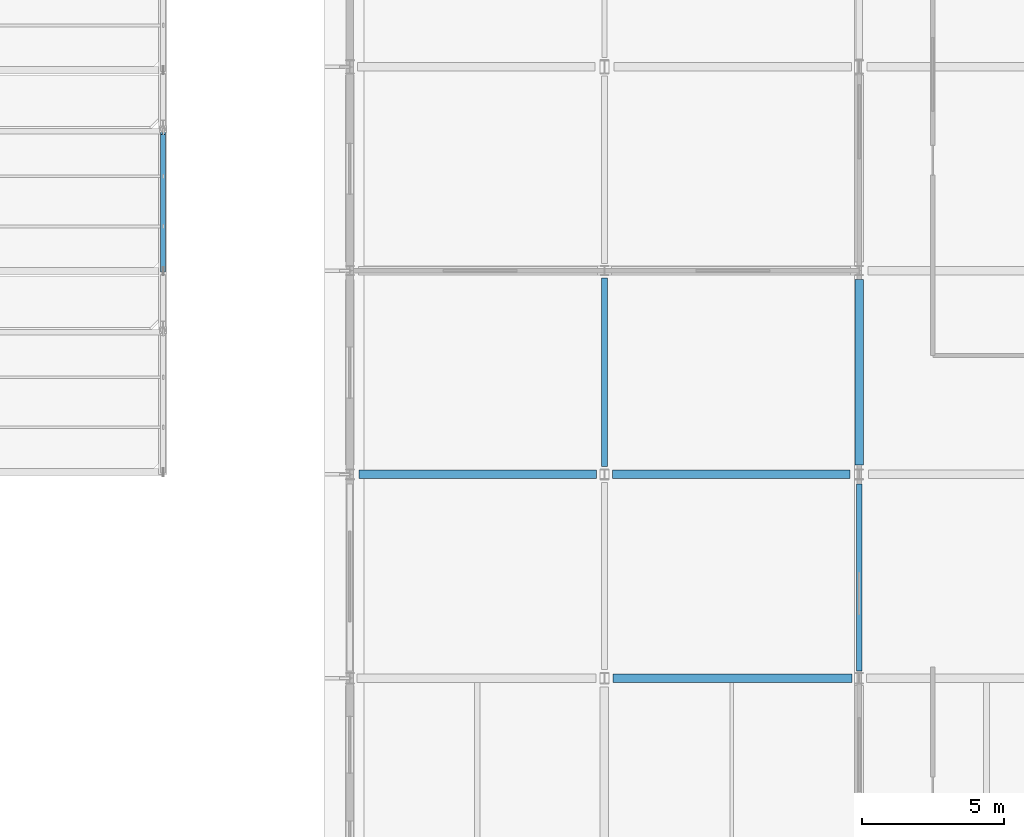
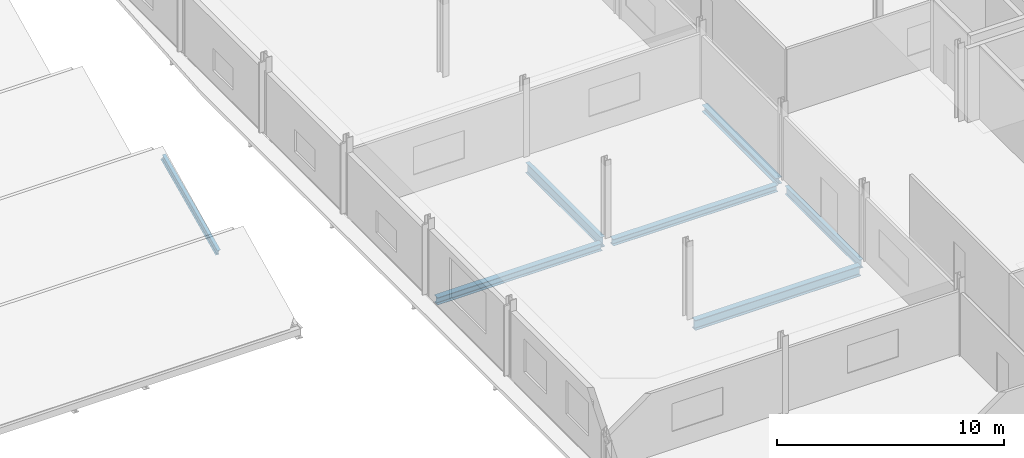
# One storey, part 82 of 138: 7 beams.
"""IFC4 building model written with IfcOpenShell, lengths in metres."""

from ifc_helpers import new_model, si_unit, direction, frame, origin, origin_2d, place, context, subcontext, project, spatial, i_section, extrude, material, material_profile, profile_set, type_object, element, save


model = new_model("IFC4")

# Units and contexts
model_context = context("Model", 3, precision=1e-05, world=origin(), true_north=direction((0.0, 1.0)))
body_context = subcontext(model_context, "Body", "Model", "MODEL_VIEW")
ifc_project = project(units=[si_unit("LENGTHUNIT", "METRE"), si_unit("AREAUNIT", "SQUARE_METRE"), si_unit("VOLUMEUNIT", "CUBIC_METRE"), si_unit("PLANEANGLEUNIT", "RADIAN"), si_unit("MASSUNIT", "GRAM", prefix="KILO")], contexts=[model_context])

# Site, building, storey
site_placement = place(None, origin())
site = spatial("IfcSite", under=ifc_project, at=site_placement, CompositionType="ELEMENT")
building_placement = place(site_placement, origin())
building = spatial("IfcBuilding", under=site, at=building_placement, Name="Vinh Khe Railworks Police Headquarters", CompositionType="ELEMENT")
storey_placement = place(building_placement, frame((0.0, 0.0, 9.0)))
storey = spatial("IfcBuildingStorey", under=building, at=storey_placement, Name="L02", CompositionType="ELEMENT", Elevation=9.0)

# Beams
ifc_material = material(Name="Steel S355JR", Category="steel")
ifc_material_profile_1 = material_profile(ifc_material, i_section(OverallWidth=0.300048828125, OverallDepth=0.35009765625, WebThickness=0.010009765625, FlangeThickness=0.017578125, FilletRadius=0.027099609375, at=origin_2d()), Name="HEA 360")
ifc_profile_set_1 = profile_set([ifc_material_profile_1], Name="Steel S355JR")
beam_type_1 = type_object("IfcBeamType", Name="Steel Girder HEA 360", PredefinedType="BEAM", material=ifc_profile_set_1)
beam_1_placement = place(storey_placement, frame((87.280029296875, 138.0, -0.39501953125), z_axis=(1.0, 0.0, 0.0), x_axis=(0.0, 1.0, 0.0)))
element("IfcBeam", 1, at=beam_1_placement, inside=storey, type_object=beam_type_1, Name="Girder BM-L02-EW-SB-15-0852", PredefinedType="BEAM", context=body_context, shape_type="SweptSolid", body=[
    extrude(i_section(OverallWidth=0.300048828125, OverallDepth=0.35009765625, WebThickness=0.010009765625, FlangeThickness=0.017578125, FilletRadius=0.027099609375, at=origin_2d()), origin(), (0.0, 0.0, 1.0), 8.389892578125),
])
beam_2_placement = place(storey_placement, frame((96.0, 138.330078125, -0.39501953125), z_axis=(0.0, 1.0, 0.0), x_axis=(-1.0, 0.0, 0.0)))
element("IfcBeam", 2, at=beam_2_placement, inside=storey, type_object=beam_type_1, Name="Girder BM-L02-NS-SB-15-0997", PredefinedType="BEAM", context=body_context, shape_type="SweptSolid", body=[
    extrude(i_section(OverallWidth=0.300048828125, OverallDepth=0.35009765625, WebThickness=0.010009765625, FlangeThickness=0.017578125, FilletRadius=0.027099609375, at=origin_2d()), origin(), (0.0, 0.0, 1.0), 6.56494140625),
])
ifc_material_profile_2 = material_profile(ifc_material, i_section(OverallWidth=0.300048828125, OverallDepth=0.389892578125, WebThickness=0.010986328125, FlangeThickness=0.01904296875, FilletRadius=0.027099609375, at=origin_2d()), Name="HEA 400")
ifc_profile_set_2 = profile_set([ifc_material_profile_2], Name="Steel S355JR")
beam_type_2 = type_object("IfcBeamType", Name="Steel Girder HEA 400", PredefinedType="BEAM", material=ifc_profile_set_2)
beam_3_placement = place(storey_placement, frame((78.330078125, 138.0, -0.4150390625), z_axis=(1.0, 0.0, 0.0), x_axis=(0.0, 1.0, 0.0)))
element("IfcBeam", 3, at=beam_3_placement, inside=storey, type_object=beam_type_2, Name="Girder BM-L02-EW-SB-14-0851", PredefinedType="BEAM", context=body_context, shape_type="SweptSolid", body=[
    extrude(i_section(OverallWidth=0.300048828125, OverallDepth=0.389892578125, WebThickness=0.010986328125, FlangeThickness=0.01904296875, FilletRadius=0.027099609375, at=origin_2d()), origin(), (0.0, 0.0, 1.0), 8.389892578125),
])
ifc_material_profile_3 = material_profile(ifc_material, i_section(OverallWidth=0.300048828125, OverallDepth=0.5400390625, WebThickness=0.012451171875, FlangeThickness=0.02392578125, FilletRadius=0.027099609375, at=origin_2d()), Name="HEA 550")
ifc_profile_set_3 = profile_set([ifc_material_profile_3], Name="Steel S355JR")
beam_type_3 = type_object("IfcBeamType", Name="Steel Girder HEA 550", PredefinedType="BEAM", material=ifc_profile_set_3)
beam_4_placement = place(storey_placement, frame((87.304931640625, 130.800048828125, -0.489990234375), z_axis=(1.0, 0.0, 0.0), x_axis=(0.0, 1.0, 0.0)))
element("IfcBeam", 4, at=beam_4_placement, inside=storey, type_object=beam_type_3, Name="Girder BM-L02-EW-SB-11-0848", PredefinedType="BEAM", context=body_context, shape_type="SweptSolid", body=[
    extrude(i_section(OverallWidth=0.300048828125, OverallDepth=0.5400390625, WebThickness=0.012451171875, FlangeThickness=0.02392578125, FilletRadius=0.027099609375, at=origin_2d()), origin(), (0.0, 0.0, 1.0), 8.440185546875),
])
ifc_material_profile_4 = material_profile(ifc_material, i_section(OverallWidth=0.169921875, OverallDepth=0.360107421875, WebThickness=0.008056640625, FlangeThickness=0.0126953125, FilletRadius=0.01806640625, at=origin_2d()), Name="IPE 360")
ifc_profile_set_4 = profile_set([ifc_material_profile_4], Name="Steel S355JR")
beam_type_4 = type_object("IfcBeamType", Name="Steel Girder IPE 360", PredefinedType="BEAM", material=ifc_profile_set_4)
beam_5_placement = place(storey_placement, frame((71.39990234375, 145.219970703125, 0.179931640625), z_axis=(0.0, 0.90818224373, 0.418574977959), x_axis=(-1.0, 0.0, 0.0)))
element("IfcBeam", 5, at=beam_5_placement, inside=storey, type_object=beam_type_4, Name="Sawtooth Slope Girder 2S", PredefinedType="BEAM", context=body_context, shape_type="SweptSolid", body=[
    extrude(i_section(OverallWidth=0.169921875, OverallDepth=0.360107421875, WebThickness=0.008056640625, FlangeThickness=0.0126953125, FilletRadius=0.01806640625, at=origin_2d()), origin(), (0.0, 0.0, 1.0), 5.3515625),
])
ifc_material_profile_5 = material_profile(ifc_material, i_section(OverallWidth=0.18994140625, OverallDepth=0.449951171875, WebThickness=0.009521484375, FlangeThickness=0.0146484375, FilletRadius=0.02099609375, at=origin_2d()), Name="IPE 450")
ifc_profile_set_5 = profile_set([ifc_material_profile_5], Name="Steel S355JR")
beam_type_5 = type_object("IfcBeamType", Name="Steel Girder IPE 450", PredefinedType="BEAM", material=ifc_profile_set_5)
beam_6_placement = place(storey_placement, frame((96.0, 131.054931640625, -0.445068359375), z_axis=(0.0, 1.0, 0.0), x_axis=(-1.0, 0.0, 0.0)))
element("IfcBeam", 6, at=beam_6_placement, inside=storey, type_object=beam_type_5, Name="Girder BM-L02-NS-SB-20-0996", PredefinedType="BEAM", context=body_context, shape_type="SweptSolid", body=[
    extrude(i_section(OverallWidth=0.18994140625, OverallDepth=0.449951171875, WebThickness=0.009521484375, FlangeThickness=0.0146484375, FilletRadius=0.02099609375, at=origin_2d()), origin(), (0.0, 0.0, 1.0), 6.614990234375),
])
ifc_material_profile_6 = material_profile(ifc_material, i_section(OverallWidth=0.2099609375, OverallDepth=0.550048828125, WebThickness=0.010986328125, FlangeThickness=0.01708984375, FilletRadius=0.02392578125, at=origin_2d()), Name="IPE 550")
ifc_profile_set_6 = profile_set([ifc_material_profile_6], Name="Steel S355JR")
beam_type_6 = type_object("IfcBeamType", Name="Steel Girder IPE 550", PredefinedType="BEAM", material=ifc_profile_set_6)
beam_7_placement = place(storey_placement, frame((87.0, 138.280029296875, -0.4951171875), z_axis=(0.0, 1.0, 0.0), x_axis=(-1.0, 0.0, 0.0)))
element("IfcBeam", 7, at=beam_7_placement, inside=storey, type_object=beam_type_6, Name="Girder BM-L02-NS-SB-18-0988", PredefinedType="BEAM", context=body_context, shape_type="SweptSolid", body=[
    extrude(i_section(OverallWidth=0.2099609375, OverallDepth=0.550048828125, WebThickness=0.010986328125, FlangeThickness=0.01708984375, FilletRadius=0.02392578125, at=origin_2d()), origin(), (0.0, 0.0, 1.0), 6.6650390625),
])

save(model, "model.ifc")
